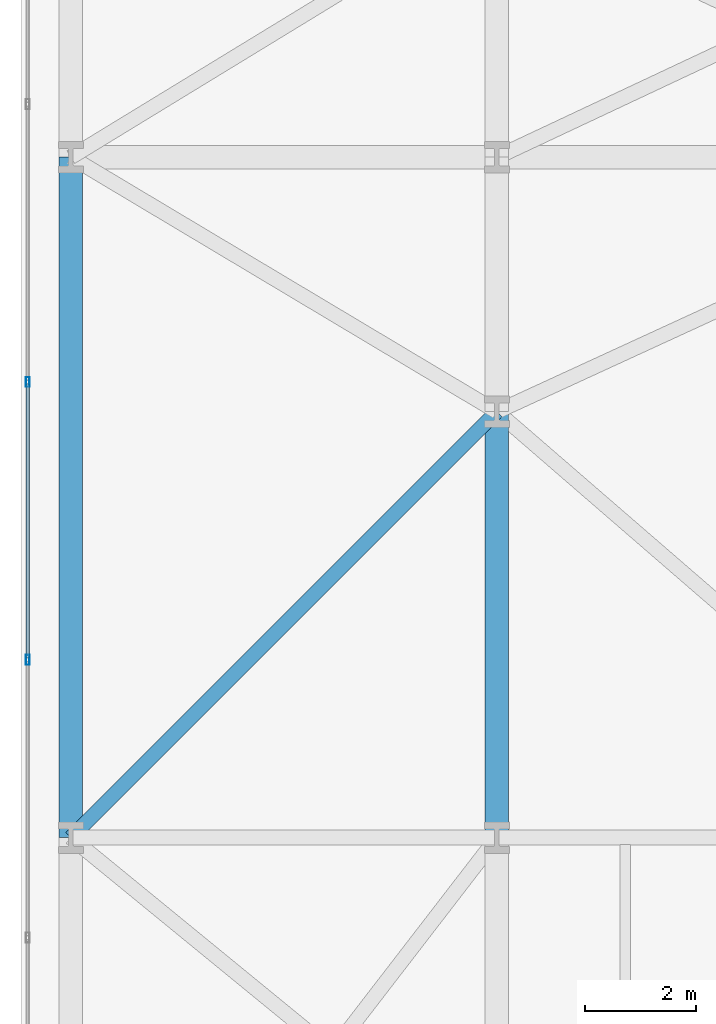
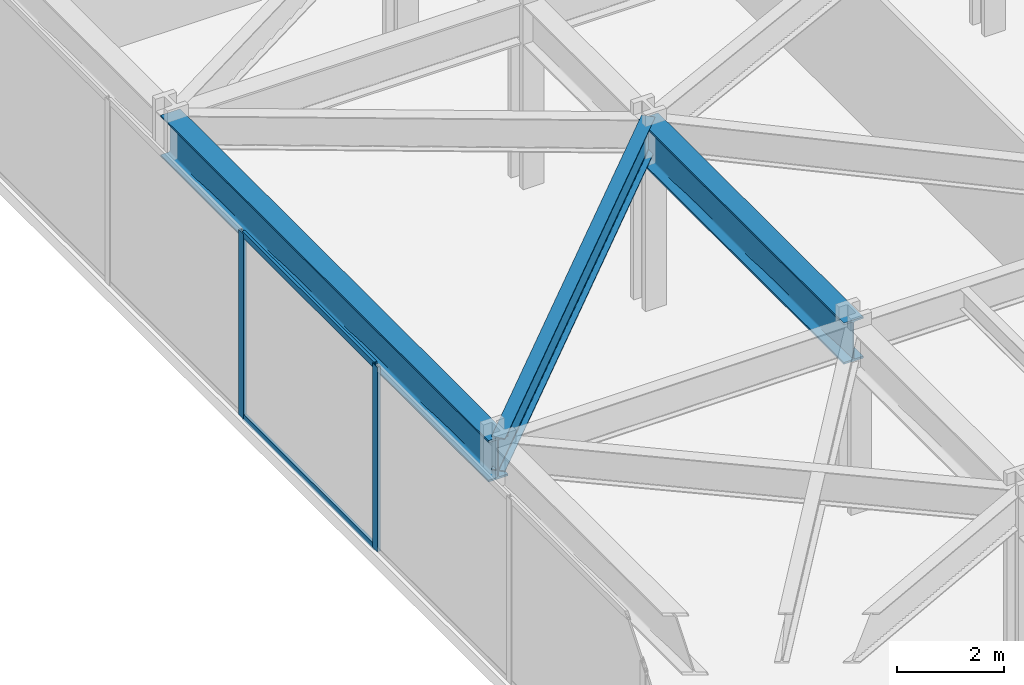
# One storey, part 8 of 28: 4 members, 3 beams, 1 element without a shape of its own.
"""IFC4 building model written with IfcOpenShell, lengths in metres."""

from ifc_helpers import new_model, si_unit, direction, frame, origin, origin_2d, place, context, subcontext, project, spatial, hollow_rectangle, i_section, extrude, material, layer, layer_set, material_profile, profile_set, type_object, element, aggregate, save


model = new_model("IFC4")

# Units and contexts
model_context = context("Model", 3, precision=1e-05, world=origin(), true_north=direction((0.0, 1.0)))
body_context = subcontext(model_context, "Body", "Model", "MODEL_VIEW")
ifc_project = project(units=[si_unit("LENGTHUNIT", "METRE"), si_unit("AREAUNIT", "SQUARE_METRE"), si_unit("VOLUMEUNIT", "CUBIC_METRE"), si_unit("PLANEANGLEUNIT", "RADIAN"), si_unit("MASSUNIT", "GRAM", prefix="KILO")], contexts=[model_context])

# Site, building, storey
site_placement = place(None, origin())
site = spatial("IfcSite", under=ifc_project, at=site_placement, CompositionType="ELEMENT")
building_placement = place(site_placement, origin())
building = spatial("IfcBuilding", under=site, at=building_placement, Name="Kravanh Interchange Tower", CompositionType="ELEMENT")
storey_placement = place(building_placement, frame((0.0, 0.0, 10.800048828125)))
storey = spatial("IfcBuildingStorey", under=building, at=storey_placement, Name="L02", CompositionType="ELEMENT", Elevation=10.800048828125)

# Curtain wall, members
ifc_material_1 = material(Name="Anodised Bronze Aluminium", Category="aluminium")
ifc_layer = layer(ifc_material_1, 0.179931640625)
ifc_layer_set = layer_set([ifc_layer], Name="Unitised Curtain Wall System CW-POD Podium Concourse")
curtain_wall_type = type_object("IfcCurtainWallType", Name="Unitised Curtain Wall System CW-POD Podium Concourse", PredefinedType="NOTDEFINED", material=ifc_layer_set)
curtain_wall_placement = place(storey_placement, origin())
curtain_wall = element("IfcCurtainWall", 1, at=curtain_wall_placement, inside=storey, type_object=curtain_wall_type, Name="L02 Unitised Curtain Wall CW-L02-01", PredefinedType="NOTDEFINED")
ifc_material_2 = material(Name="Anodised Bronze Aluminium", Category="aluminium")
ifc_material_profile_1 = material_profile(ifc_material_2, hollow_rectangle(XDim=0.070068359375, YDim=0.179931640625, WallThickness=0.00390625, at=origin_2d()), Name="ALU70X180X4")
ifc_profile_set_1 = profile_set([ifc_material_profile_1], Name="Anodised Bronze Aluminium")
member_type_1 = type_object("IfcMemberType", Name="Curtain Wall Mullion ALU70X180X4 Bronze", PredefinedType="MULLION", material=ifc_profile_set_1)
member_1_placement = place(storey_placement, frame((0.1201171875, 17.714111328125, 0.0), z_axis=(0.0, 0.0, 1.0), x_axis=(-1.0, 0.0, 0.0)))
member_1 = element("IfcMember", 2, at=member_1_placement, type_object=member_type_1, Name="CW-POD mullion 4", PredefinedType="MULLION", context=body_context, shape_type="SweptSolid", body=[
    extrude(hollow_rectangle(XDim=0.070068359375, YDim=0.179931640625, WallThickness=0.00390625, at=origin_2d()), origin(), (0.0, 0.0, 1.0), 4.22998046875),
])
member_2_placement = place(storey_placement, frame((0.1201171875, 22.735595703125, 0.0), z_axis=(0.0, 0.0, 1.0), x_axis=(-1.0, 0.0, 0.0)))
member_2 = element("IfcMember", 3, at=member_2_placement, type_object=member_type_1, Name="CW-POD mullion 5", PredefinedType="MULLION", context=body_context, shape_type="SweptSolid", body=[
    extrude(hollow_rectangle(XDim=0.070068359375, YDim=0.179931640625, WallThickness=0.00390625, at=origin_2d()), origin(), (0.0, 0.0, 1.0), 4.22998046875),
])
ifc_material_3 = material(Name="Anodised Bronze Aluminium", Category="aluminium")
ifc_material_profile_2 = material_profile(ifc_material_3, hollow_rectangle(XDim=0.06005859375, YDim=0.139892578125, WallThickness=0.00390625, at=origin_2d()), Name="ALU60X140X4")
ifc_profile_set_2 = profile_set([ifc_material_profile_2], Name="Anodised Bronze Aluminium")
member_type_2 = type_object("IfcMemberType", Name="Curtain Wall Transom ALU60X140X4 Bronze", PredefinedType="USERDEFINED", material=ifc_profile_set_2)
member_3_placement = place(storey_placement, frame((0.1201171875, 17.7490234375, 0.030029296875), z_axis=(0.0, 1.0, 0.0), x_axis=(-1.0, 0.0, 0.0)))
member_3 = element("IfcMember", 4, at=member_3_placement, type_object=member_type_2, Name="CW-POD transom 4.1", ObjectType="TRANSOM", PredefinedType="USERDEFINED", context=body_context, shape_type="SweptSolid", body=[
    extrude(hollow_rectangle(XDim=0.06005859375, YDim=0.139892578125, WallThickness=0.00390625, at=origin_2d()), origin(), (0.0, 0.0, 1.0), 4.95166015625),
])
member_4_placement = place(storey_placement, frame((0.1201171875, 17.7490234375, 4.199951171875), z_axis=(0.0, 1.0, 0.0), x_axis=(-1.0, 0.0, 0.0)))
member_4 = element("IfcMember", 5, at=member_4_placement, type_object=member_type_2, Name="CW-POD transom 4.2", ObjectType="TRANSOM", PredefinedType="USERDEFINED", context=body_context, shape_type="SweptSolid", body=[
    extrude(hollow_rectangle(XDim=0.06005859375, YDim=0.139892578125, WallThickness=0.00390625, at=origin_2d()), origin(), (0.0, 0.0, 1.0), 4.95166015625),
])
aggregate(curtain_wall, [member_1, member_2, member_3, member_4])

# Beams
ifc_material_4 = material(Name="Structural Steel S450", Category="steel")
ifc_material_profile_3 = material_profile(ifc_material_4, i_section(OverallWidth=0.423095703125, OverallDepth=0.947998046875, WebThickness=0.02392578125, FlangeThickness=0.042724609375, FilletRadius=0.028076171875, at=origin_2d()), Name="W36X302")
ifc_profile_set_3 = profile_set([ifc_material_profile_3], Name="Structural Steel S450")
beam_type_1 = type_object("IfcBeamType", Name="Floor Beam W36X302 Structural Steel S450", PredefinedType="BEAM", material=ifc_profile_set_3)
beam_1_placement = place(storey_placement, frame((8.60009765625, 14.5, 3.755859375), z_axis=(0.0, 1.0, 0.0), x_axis=(-1.0, 0.0, 0.0)))
element("IfcBeam", 6, at=beam_1_placement, inside=storey, type_object=beam_type_1, Name="L02 Primary Floor Girder 37", PredefinedType="BEAM", context=body_context, shape_type="SweptSolid", body=[
    extrude(i_section(OverallWidth=0.423095703125, OverallDepth=0.947998046875, WebThickness=0.02392578125, FlangeThickness=0.042724609375, FilletRadius=0.028076171875, at=origin_2d()), origin(), (0.0, 0.0, 1.0), 7.699951171875),
])
beam_2_placement = place(storey_placement, frame((0.89990234375, 14.5, 3.755859375), z_axis=(0.0, 1.0, 0.0), x_axis=(-1.0, 0.0, 0.0)))
element("IfcBeam", 7, at=beam_2_placement, inside=storey, type_object=beam_type_1, Name="L02 Primary Floor Girder 123", PredefinedType="BEAM", context=body_context, shape_type="SweptSolid", body=[
    extrude(i_section(OverallWidth=0.423095703125, OverallDepth=0.947998046875, WebThickness=0.02392578125, FlangeThickness=0.042724609375, FilletRadius=0.028076171875, at=origin_2d()), origin(), (0.0, 0.0, 1.0), 12.300048828125),
])
ifc_material_5 = material(Name="Structural Steel S355", Category="steel")
ifc_material_profile_4 = material_profile(ifc_material_5, i_section(OverallWidth=0.26708984375, OverallDepth=0.761962890625, WebThickness=0.014404296875, FlangeThickness=0.021484375, FilletRadius=0.02490234375, at=origin_2d()), Name="W30X116")
ifc_profile_set_4 = profile_set([ifc_material_profile_4], Name="Structural Steel S355")
beam_type_2 = type_object("IfcBeamType", Name="Floor Spandrel W30X116 Structural Steel S355", PredefinedType="SPANDREL", material=ifc_profile_set_4)
beam_3_placement = place(storey_placement, frame((8.60009765625, 22.199951171875, 3.848876953125), z_axis=(-0.707117990958, -0.707095571237, 0.0), x_axis=(0.707095571237, -0.707117990958, 0.0)))
element("IfcBeam", 8, at=beam_3_placement, inside=storey, type_object=beam_type_2, Name="L02 Perimeter Spandrel 59", PredefinedType="SPANDREL", context=body_context, shape_type="SweptSolid", body=[
    extrude(i_section(OverallWidth=0.26708984375, OverallDepth=0.761962890625, WebThickness=0.014404296875, FlangeThickness=0.021484375, FilletRadius=0.02490234375, at=origin_2d()), origin(), (0.0, 0.0, 1.0), 10.8896484375),
])

save(model, "model.ifc")
